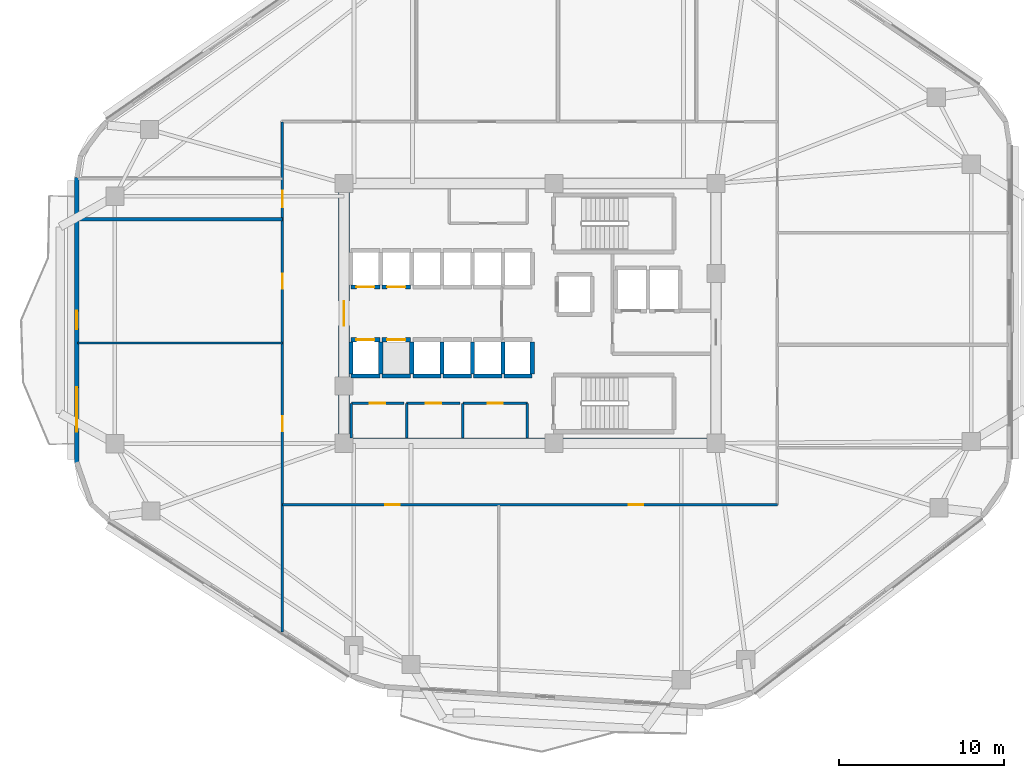
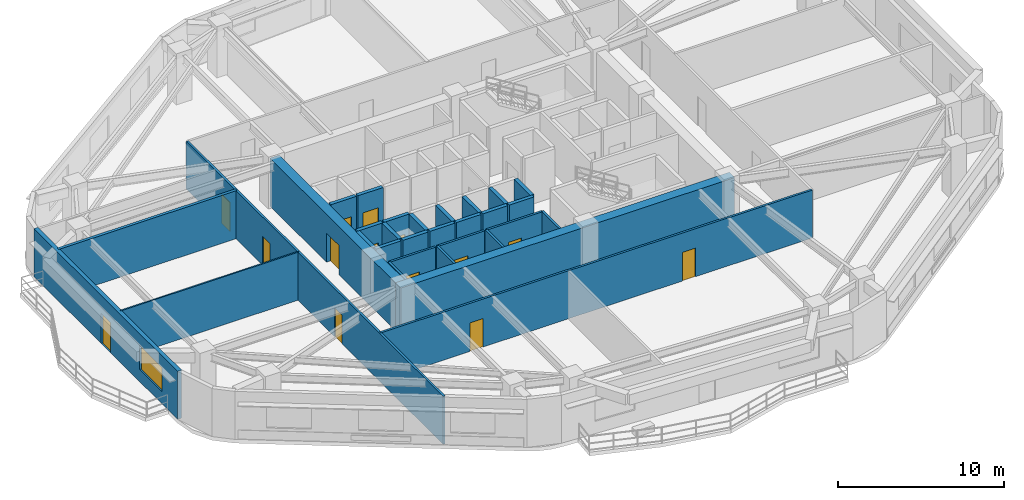
# One storey, part 3 of 10: 31 walls, 14 doors, 1 window, 15 openings.
"""IFC4 building model written with IfcOpenShell, lengths in metres."""

from ifc_helpers import new_model, si_unit, direction, frame, frame_2d, origin, place, context, subcontext, project, spatial, rectangle, extrude, material, layer, layer_set, type_object, element, fill, save


model = new_model("IFC4")

# Units and contexts
model_context = context("Model", 3, precision=1e-05, world=origin(), true_north=direction((0.0, 1.0)))
body_context = subcontext(model_context, "Body", "Model", "MODEL_VIEW")
ifc_project = project(units=[si_unit("LENGTHUNIT", "METRE"), si_unit("AREAUNIT", "SQUARE_METRE"), si_unit("VOLUMEUNIT", "CUBIC_METRE"), si_unit("PLANEANGLEUNIT", "RADIAN"), si_unit("MASSUNIT", "GRAM", prefix="KILO")], contexts=[model_context])

# Site, building, storey
site_placement = place(None, origin())
site = spatial("IfcSite", under=ifc_project, at=site_placement, CompositionType="ELEMENT")
building_placement = place(site_placement, origin())
building = spatial("IfcBuilding", under=site, at=building_placement, Name="Zulverin Broadcast Headquarters", CompositionType="ELEMENT")
storey_placement = place(building_placement, frame((0.0, 0.0, 97.199951171875)))
storey = spatial("IfcBuildingStorey", under=building, at=storey_placement, Name="L24", CompositionType="ELEMENT", Elevation=97.199951171875)

# Walls
ifc_material_1 = material(Name="Acoustic drywall steel stud", Category="steel")
ifc_layer_1 = layer(ifc_material_1, 0.199951171875, Name="Acoustic drywall steel stud", Category="steel")
ifc_layer_set_1 = layer_set([ifc_layer_1], Name="Acoustic drywall steel stud")
wall_type_1 = type_object("IfcWallType", Name="WL-ACOU-200", PredefinedType="PARTITIONING", material=ifc_layer_set_1)
wall_1_placement = place(storey_placement, frame((9.60498046875, 30.89990234375, 0.0), z_axis=(0.0, 0.0, 1.0), x_axis=(1.0, 0.0, 0.0)))
element("IfcWall", 1, at=wall_1_placement, inside=storey, type_object=wall_type_1, Name="L24 Room Partition Wall RP-12", PredefinedType="PARTITIONING", context=body_context, shape_type="SweptSolid", body=[
    extrude(rectangle(XDim=12.39501953125, YDim=0.199951171875, at=frame_2d((6.197509765625, 0.0))), origin(), (0.0, 0.0, 1.0), 3.525146484375),
])
ifc_material_2 = material(Name="Concrete C60/75", Category="concrete")
ifc_layer_2 = layer(ifc_material_2, 0.64990234375, Name="Concrete C60/75", Category="concrete")
ifc_layer_set_2 = layer_set([ifc_layer_2], Name="Concrete C60/75")
wall_type_2 = type_object("IfcWallType", Name="WL-CORE-650", PredefinedType="SHEAR", material=ifc_layer_set_2)
wall_2_placement = place(storey_placement, frame((25.39990234375, 17.324951171875, 0.0), z_axis=(0.0, 0.0, 1.0), x_axis=(1.0, 0.0, 0.0)))
element("IfcWall", 2, at=wall_2_placement, inside=storey, type_object=wall_type_2, Name="L24 Core South Shear Wall", PredefinedType="SHEAR", context=body_context, shape_type="SweptSolid", body=[
    extrude(rectangle(XDim=23.2001953125, YDim=0.64990234375, at=frame_2d((11.60009765625, 0.0))), origin(), (0.0, 0.0, 1.0), 3.525146484375),
])

# Wall, opening, door
wall_3_placement = place(storey_placement, frame((25.72509765625, 17.64990234375, 0.0), z_axis=(0.0, 0.0, 1.0), x_axis=(0.0, 1.0, 0.0)))
wall_3 = element("IfcWall", 3, at=wall_3_placement, inside=storey, type_object=wall_type_2, Name="L24 Core West Shear Wall", PredefinedType="SHEAR", context=body_context, shape_type="SweptSolid", body=[
    extrude(rectangle(XDim=15.10009765625, YDim=0.64990234375, at=frame_2d((7.550048828125, 0.0))), origin(), (0.0, 0.0, 1.0), 3.525146484375),
])
opening_1_placement = place(wall_3_placement, frame((6.800048828125, 0.0, 0.0)))
opening_1 = element("IfcOpeningElement", 4, at=opening_1_placement, cuts=wall_3, Name="Opening D-L24-CW1", PredefinedType="OPENING", context=body_context, shape_type="SweptSolid", body=[
    extrude(rectangle(XDim=1.5, YDim=2.14990234375, at=frame_2d((0.75, 1.074951171875))), frame((0.0, 0.3349609375, 0.0), z_axis=(0.0, -1.0, 0.0), x_axis=(1.0, 0.0, 0.0)), (0.0, 0.0, 1.0), 0.669921875),
])
ifc_material_3 = material(Name="Fire-rated glazed steel frame", Category="steel")
door_type_1 = type_object("IfcDoorType", Name="DR-COR-1500", OperationType="DOUBLE_DOOR_SINGLE_SWING", PredefinedType="DOOR", material=ifc_material_3)
door_1_placement = place(opening_1_placement, origin())
door_1 = element("IfcDoor", 5, at=door_1_placement, inside=storey, type_object=door_type_1, Name="L24 Central Lift Lobby West Portal Door", OperationType="DOUBLE_DOOR_SINGLE_SWING", OverallHeight=2.14990234375, OverallWidth=1.5, PredefinedType="DOOR", context=body_context, shape_type="SweptSolid", body=[
    extrude(rectangle(XDim=1.5, YDim=2.14990234375, at=frame_2d((0.75, 1.074951171875))), frame((0.0, 0.02490234375, 0.0), z_axis=(0.0, -1.0, 0.0), x_axis=(1.0, 0.0, 0.0)), (0.0, 0.0, 1.0), 0.050048828125),
])
fill(opening_1, door_1)

# Wall, openings, door, window
ifc_material_4 = material(Name="Insulated pale-metal clad concrete spandrel C40/50", Category="concrete")
ifc_layer_3 = layer(ifc_material_4, 0.280029296875, Name="Insulated pale-metal clad concrete spandrel C40/50", Category="concrete")
ifc_layer_set_3 = layer_set([ifc_layer_3], Name="Insulated pale-metal clad concrete spandrel C40/50")
wall_type_3 = type_object("IfcWallType", Name="WL-EXT-280", PredefinedType="STANDARD", material=ifc_layer_set_3)
wall_4_placement = place(storey_placement, frame((9.5400390625, 33.4443359375, 0.0), z_axis=(0.0, 0.0, 1.0), x_axis=(0.0, -1.0, 0.0)))
wall_4 = element("IfcWall", 6, at=wall_4_placement, inside=storey, type_object=wall_type_3, Name="L24 Pale-Metal Clad Spandrel Wall 7", PredefinedType="STANDARD", context=body_context, shape_type="SweptSolid", body=[
    extrude(rectangle(XDim=17.30078125, YDim=0.280029296875, at=frame_2d((8.650390625, 0.0))), origin(), (0.0, 0.0, 1.0), 3.525146484375),
])
opening_2_placement = place(wall_4_placement, frame((8.100341796875, 0.0, 0.0)))
opening_2 = element("IfcOpeningElement", 7, at=opening_2_placement, cuts=wall_4, Name="Opening D-L24-TR7", PredefinedType="OPENING", context=body_context, shape_type="SweptSolid", body=[
    extrude(rectangle(XDim=1.10009765625, YDim=2.199951171875, at=frame_2d((0.550048828125, 1.10009765625))), frame((0.0, 0.14990234375, 0.0), z_axis=(0.0, -1.0, 0.0), x_axis=(1.0, 0.0, 0.0)), (0.0, 0.0, 1.0), 0.300048828125),
])
opening_3_placement = place(wall_4_placement, frame((12.73388671875, 0.0, 0.89990234375)))
opening_3 = element("IfcOpeningElement", 8, at=opening_3_placement, cuts=wall_4, Name="Opening W-L24-E71", PredefinedType="OPENING", context=body_context, shape_type="SweptSolid", body=[
    extrude(rectangle(XDim=2.699951171875, YDim=1.75, at=frame_2d((1.35009765625, 0.875))), frame((0.0, 0.14990234375, 0.0), z_axis=(0.0, -1.0, 0.0), x_axis=(1.0, 0.0, 0.0)), (0.0, 0.0, 1.0), 0.300048828125),
])
ifc_material_5 = material(Name="Thermally broken aluminium glazed", Category="aluminium")
door_type_2 = type_object("IfcDoorType", Name="DR-TERR-1100", OperationType="SINGLE_SWING_RIGHT", PredefinedType="DOOR", material=ifc_material_5)
door_2_placement = place(opening_2_placement, origin())
door_2 = element("IfcDoor", 9, at=door_2_placement, inside=storey, type_object=door_type_2, Name="L24 Planted Terrace Glazed Access Door 7", OperationType="SINGLE_SWING_RIGHT", OverallHeight=2.199951171875, OverallWidth=1.10009765625, PredefinedType="DOOR", context=body_context, shape_type="SweptSolid", body=[
    extrude(rectangle(XDim=1.10009765625, YDim=2.199951171875, at=frame_2d((0.550048828125, 1.10009765625))), frame((0.0, 0.02490234375, 0.0), z_axis=(0.0, -1.0, 0.0), x_axis=(1.0, 0.0, 0.0)), (0.0, 0.0, 1.0), 0.050048828125),
])
fill(opening_2, door_2)
ifc_material_6 = material(Name="Pale anodized aluminium frame with solar-control low-E double glazing", Category="aluminium")
window_type = type_object("IfcWindowType", Name="WIN-TWR-2700", PartitioningType="SINGLE_PANEL", PredefinedType="WINDOW", material=ifc_material_6)
window_placement = place(opening_3_placement, origin())
window = element("IfcWindow", 10, at=window_placement, inside=storey, type_object=window_type, Name="L24 Ribbon Glazing Window 7 1", OverallHeight=1.75, OverallWidth=2.699951171875, PartitioningType="SINGLE_PANEL", PredefinedType="WINDOW", context=body_context, shape_type="SweptSolid", body=[
    extrude(rectangle(XDim=2.699951171875, YDim=1.75, at=frame_2d((1.35009765625, 0.875))), frame((0.0, 0.030029296875, 0.0), z_axis=(0.0, -1.0, 0.0), x_axis=(1.0, 0.0, 0.0)), (0.0, 0.0, 1.0), 0.06005859375),
])
fill(opening_3, window)

# Wall
ifc_material_7 = material(Name="Fire-rated acoustic laminated glass screen", Category="glass")
ifc_layer_4 = layer(ifc_material_7, 0.10009765625, Name="Fire-rated acoustic laminated glass screen", Category="glass")
ifc_layer_set_4 = layer_set([ifc_layer_4], Name="Fire-rated acoustic laminated glass screen")
wall_type_4 = type_object("IfcWallType", Name="WL-GLAZ-100", PredefinedType="PARTITIONING", material=ifc_layer_set_4)
wall_5_placement = place(storey_placement, frame((9.60498046875, 23.39990234375, 0.0), z_axis=(0.0, 0.0, 1.0), x_axis=(1.0, 0.0, 0.0)))
element("IfcWall", 11, at=wall_5_placement, inside=storey, type_object=wall_type_4, Name="L24 Room Partition Wall RP-10", PredefinedType="PARTITIONING", context=body_context, shape_type="SweptSolid", body=[
    extrude(rectangle(XDim=12.39501953125, YDim=0.10009765625, at=frame_2d((6.197509765625, 0.0))), origin(), (0.0, 0.0, 1.0), 3.525146484375),
])

# Wall, opening, door
ifc_material_8 = material(Name="Fire-rated gypsum stud partition", Category="gypsum")
ifc_layer_5 = layer(ifc_material_8, 0.14990234375, Name="Fire-rated gypsum stud partition", Category="gypsum")
ifc_layer_set_5 = layer_set([ifc_layer_5], Name="Fire-rated gypsum stud partition")
wall_type_5 = type_object("IfcWallType", Name="WL-PART-150", PredefinedType="PARTITIONING", material=ifc_layer_set_5)
wall_6_placement = place(storey_placement, frame((26.169921875, 19.75, 0.0), z_axis=(0.0, 0.0, 1.0), x_axis=(1.0, 0.0, 0.0)))
wall_6 = element("IfcWall", 12, at=wall_6_placement, inside=storey, type_object=wall_type_5, Name="L24 Core Male WC Front Wall", PredefinedType="PARTITIONING", context=body_context, shape_type="SweptSolid", body=[
    extrude(rectangle(XDim=3.2001953125, YDim=0.14990234375, at=frame_2d((1.60009765625, 0.0))), origin(), (0.0, 0.0, 1.0), 3.525146484375),
])
opening_4_placement = place(wall_6_placement, frame((1.125, 0.0, 0.0)))
opening_4 = element("IfcOpeningElement", 13, at=opening_4_placement, cuts=wall_6, Name="Opening D-L24-SC1", PredefinedType="OPENING", context=body_context, shape_type="SweptSolid", body=[
    extrude(rectangle(XDim=0.949951171875, YDim=2.10009765625, at=frame_2d((0.47509765625, 1.050048828125))), frame((0.0, 0.0849609375, 0.0), z_axis=(0.0, -1.0, 0.0), x_axis=(1.0, 0.0, 0.0)), (0.0, 0.0, 1.0), 0.169921875),
])
ifc_material_9 = material(Name="Fire-rated moisture-resistant laminate leaf", Category="wood")
door_type_3 = type_object("IfcDoorType", Name="DR-WC-950", OperationType="SINGLE_SWING_LEFT", PredefinedType="DOOR", material=ifc_material_9)
door_3_placement = place(opening_4_placement, origin())
door_3 = element("IfcDoor", 14, at=door_3_placement, inside=storey, type_object=door_type_3, Name="L24 Male WC Door", OperationType="SINGLE_SWING_RIGHT", OverallHeight=2.10009765625, OverallWidth=0.949951171875, PredefinedType="DOOR", context=body_context, shape_type="SweptSolid", body=[
    extrude(rectangle(XDim=0.949951171875, YDim=2.10009765625, at=frame_2d((0.47509765625, 1.050048828125))), frame((0.0, 0.02490234375, 0.0), z_axis=(0.0, -1.0, 0.0), x_axis=(1.0, 0.0, 0.0)), (0.0, 0.0, 1.0), 0.050048828125),
])
fill(opening_4, door_3)

# Wall
wall_7_placement = place(storey_placement, frame((26.169921875, 17.64990234375, 0.0), z_axis=(0.0, 0.0, 1.0), x_axis=(0.0, 1.0, 0.0)))
element("IfcWall", 15, at=wall_7_placement, inside=storey, type_object=wall_type_5, Name="L24 Core Male WC West Wall", PredefinedType="PARTITIONING", context=body_context, shape_type="SweptSolid", body=[
    extrude(rectangle(XDim=2.10009765625, YDim=0.14990234375, at=frame_2d((1.050048828125, 0.0))), origin(), (0.0, 0.0, 1.0), 3.525146484375),
])

# Wall, opening, door
wall_8_placement = place(storey_placement, frame((29.530029296875, 19.75, 0.0), z_axis=(0.0, 0.0, 1.0), x_axis=(1.0, 0.0, 0.0)))
wall_8 = element("IfcWall", 16, at=wall_8_placement, inside=storey, type_object=wall_type_5, Name="L24 Core Female WC Front Wall", PredefinedType="PARTITIONING", context=body_context, shape_type="SweptSolid", body=[
    extrude(rectangle(XDim=3.239990234375, YDim=0.14990234375, at=frame_2d((1.6201171875, 0.0))), origin(), (0.0, 0.0, 1.0), 3.525146484375),
])
opening_5_placement = place(wall_8_placement, frame((1.14501953125, 0.0, 0.0)))
opening_5 = element("IfcOpeningElement", 17, at=opening_5_placement, cuts=wall_8, Name="Opening D-L24-SC2", PredefinedType="OPENING", context=body_context, shape_type="SweptSolid", body=[
    extrude(rectangle(XDim=0.949951171875, YDim=2.10009765625, at=frame_2d((0.47509765625, 1.050048828125))), frame((0.0, 0.0849609375, 0.0), z_axis=(0.0, -1.0, 0.0), x_axis=(1.0, 0.0, 0.0)), (0.0, 0.0, 1.0), 0.169921875),
])
door_4_placement = place(opening_5_placement, origin())
door_4 = element("IfcDoor", 18, at=door_4_placement, inside=storey, type_object=door_type_3, Name="L24 Female WC Door", OperationType="SINGLE_SWING_LEFT", OverallHeight=2.10009765625, OverallWidth=0.949951171875, PredefinedType="DOOR", context=body_context, shape_type="SweptSolid", body=[
    extrude(rectangle(XDim=0.949951171875, YDim=2.10009765625, at=frame_2d((0.47509765625, 1.050048828125))), frame((0.0, 0.02490234375, 0.0), z_axis=(0.0, -1.0, 0.0), x_axis=(1.0, 0.0, 0.0)), (0.0, 0.0, 1.0), 0.050048828125),
])
fill(opening_5, door_4)

# Wall
wall_9_placement = place(storey_placement, frame((29.530029296875, 17.64990234375, 0.0), z_axis=(0.0, 0.0, 1.0), x_axis=(0.0, 1.0, 0.0)))
element("IfcWall", 19, at=wall_9_placement, inside=storey, type_object=wall_type_5, Name="L24 Core Female WC West Wall", PredefinedType="PARTITIONING", context=body_context, shape_type="SweptSolid", body=[
    extrude(rectangle(XDim=2.10009765625, YDim=0.14990234375, at=frame_2d((1.050048828125, 0.0))), origin(), (0.0, 0.0, 1.0), 3.525146484375),
])

# Wall, opening, door
wall_10_placement = place(storey_placement, frame((32.929931640625, 19.75, 0.0), z_axis=(0.0, 0.0, 1.0), x_axis=(1.0, 0.0, 0.0)))
wall_10 = element("IfcWall", 20, at=wall_10_placement, inside=storey, type_object=wall_type_5, Name="L24 Core Cleaner Store Front Wall", PredefinedType="PARTITIONING", context=body_context, shape_type="SweptSolid", body=[
    extrude(rectangle(XDim=3.920166015625, YDim=0.14990234375, at=frame_2d((1.9599609375, 0.0))), origin(), (0.0, 0.0, 1.0), 3.525146484375),
])
opening_6_placement = place(wall_10_placement, frame((1.510009765625, 0.0, 0.0)))
opening_6 = element("IfcOpeningElement", 21, at=opening_6_placement, cuts=wall_10, Name="Opening D-L24-SC3", PredefinedType="OPENING", context=body_context, shape_type="SweptSolid", body=[
    extrude(rectangle(XDim=0.89990234375, YDim=2.10009765625, at=frame_2d((0.449951171875, 1.050048828125))), frame((0.0, 0.0849609375, 0.0), z_axis=(0.0, -1.0, 0.0), x_axis=(1.0, 0.0, 0.0)), (0.0, 0.0, 1.0), 0.169921875),
])
ifc_material_10 = material(Name="Powder-coated steel access leaf", Category="steel")
door_type_4 = type_object("IfcDoorType", Name="DR-RISER-900", OperationType="SINGLE_SWING_LEFT", PredefinedType="DOOR", material=ifc_material_10)
door_5_placement = place(opening_6_placement, origin())
door_5 = element("IfcDoor", 22, at=door_5_placement, inside=storey, type_object=door_type_4, Name="L24 Cleaner Store Door", OperationType="SINGLE_SWING_RIGHT", OverallHeight=2.10009765625, OverallWidth=0.89990234375, PredefinedType="DOOR", context=body_context, shape_type="SweptSolid", body=[
    extrude(rectangle(XDim=0.89990234375, YDim=2.10009765625, at=frame_2d((0.449951171875, 1.050048828125))), frame((0.0, 0.02490234375, 0.0), z_axis=(0.0, -1.0, 0.0), x_axis=(1.0, 0.0, 0.0)), (0.0, 0.0, 1.0), 0.050048828125),
])
fill(opening_6, door_5)

# Walls
for number, where, z_axis, x_axis, name in (
    (23, (32.929931640625, 17.64990234375, 0.0), (0.0, 0.0, 1.0), (0.0, 1.0, 0.0), "L24 Core Cleaner Store West Wall"),
    (24, (36.85009765625, 17.64990234375, 0.0), (0.0, 0.0, 1.0), (0.0, 1.0, 0.0), "L24 Core Cleaner Store East Wall"),
):
    element("IfcWall", number, at=place(storey_placement, frame(where, z_axis=z_axis, x_axis=x_axis)), inside=storey, type_object=wall_type_5, Name=name, PredefinedType="PARTITIONING", context=body_context, shape_type="SweptSolid", body=[
        extrude(rectangle(XDim=2.10009765625, YDim=0.14990234375, at=frame_2d((1.050048828125, 0.0))), origin(), (0.0, 0.0, 1.0), 3.525146484375),
    ])

# Wall, openings, doors
wall_11_placement = place(storey_placement, frame((22.0, 5.893798828125, 0.0), z_axis=(0.0, 0.0, 1.0), x_axis=(0.0, 1.0, 0.0)))
wall_11 = element("IfcWall", 25, at=wall_11_placement, inside=storey, type_object=wall_type_5, Name="L24 Gallery Partition Wall CG-06", PredefinedType="PARTITIONING", context=body_context, shape_type="SweptSolid", body=[
    extrude(rectangle(XDim=30.90625, YDim=0.14990234375, at=frame_2d((15.453125, 0.0))), origin(), (0.0, 0.0, 1.0), 3.525146484375),
])
opening_7_placement = place(wall_11_placement, frame((12.156005859375, 0.0, 0.0)))
opening_7 = element("IfcOpeningElement", 26, at=opening_7_placement, cuts=wall_11, Name="Opening D-L24-07", PredefinedType="OPENING", context=body_context, shape_type="SweptSolid", body=[
    extrude(rectangle(XDim=0.89990234375, YDim=2.10009765625, at=frame_2d((0.449951171875, 1.050048828125))), frame((0.0, 0.0849609375, 0.0), z_axis=(0.0, -1.0, 0.0), x_axis=(1.0, 0.0, 0.0)), (0.0, 0.0, 1.0), 0.169921875),
])
opening_8_placement = place(wall_11_placement, frame((20.80615234375, 0.0, 0.0)))
opening_8 = element("IfcOpeningElement", 27, at=opening_8_placement, cuts=wall_11, Name="Opening D-L24-08", PredefinedType="OPENING", context=body_context, shape_type="SweptSolid", body=[
    extrude(rectangle(XDim=0.89990234375, YDim=2.10009765625, at=frame_2d((0.449951171875, 1.050048828125))), frame((0.0, 0.0849609375, 0.0), z_axis=(0.0, -1.0, 0.0), x_axis=(1.0, 0.0, 0.0)), (0.0, 0.0, 1.0), 0.169921875),
])
opening_9_placement = place(wall_11_placement, frame((25.731201171875, 0.0, 0.0)))
opening_9 = element("IfcOpeningElement", 28, at=opening_9_placement, cuts=wall_11, Name="Opening D-L24-09", PredefinedType="OPENING", context=body_context, shape_type="SweptSolid", body=[
    extrude(rectangle(XDim=1.0, YDim=2.1201171875, at=frame_2d((0.5, 1.06005859375))), frame((0.0, 0.0849609375, 0.0), z_axis=(0.0, -1.0, 0.0), x_axis=(1.0, 0.0, 0.0)), (0.0, 0.0, 1.0), 0.169921875),
])
ifc_material_11 = material(Name="Hardwood veneer acoustic leaf", Category="wood")
door_type_5 = type_object("IfcDoorType", Name="DR-OFF-1000", OperationType="SINGLE_SWING_LEFT", PredefinedType="DOOR", material=ifc_material_11)
door_6_placement = place(opening_9_placement, origin())
door_6 = element("IfcDoor", 29, at=door_6_placement, inside=storey, type_object=door_type_5, Name="L24 Satellite Downlink Office Door", OperationType="SINGLE_SWING_RIGHT", OverallHeight=2.1201171875, OverallWidth=1.0, PredefinedType="DOOR", context=body_context, shape_type="SweptSolid", body=[
    extrude(rectangle(XDim=1.0, YDim=2.1201171875, at=frame_2d((0.5, 1.06005859375))), frame((0.0, 0.02490234375, 0.0), z_axis=(0.0, -1.0, 0.0), x_axis=(1.0, 0.0, 0.0)), (0.0, 0.0, 1.0), 0.050048828125),
])
fill(opening_9, door_6)
ifc_material_12 = material(Name="Fire-rated hardwood veneer timber leaf", Category="wood")
door_type_6 = type_object("IfcDoorType", Name="DR-ROOM-900", OperationType="SINGLE_SWING_RIGHT", PredefinedType="DOOR", material=ifc_material_12)
door_7_placement = place(opening_7_placement, origin())
door_7 = element("IfcDoor", 30, at=door_7_placement, inside=storey, type_object=door_type_6, Name="L24 Engineering Library Door", OperationType="SINGLE_SWING_RIGHT", OverallHeight=2.10009765625, OverallWidth=0.89990234375, PredefinedType="DOOR", context=body_context, shape_type="SweptSolid", body=[
    extrude(rectangle(XDim=0.89990234375, YDim=2.10009765625, at=frame_2d((0.449951171875, 1.050048828125))), frame((0.0, 0.02490234375, 0.0), z_axis=(0.0, -1.0, 0.0), x_axis=(1.0, 0.0, 0.0)), (0.0, 0.0, 1.0), 0.050048828125),
])
fill(opening_7, door_7)
door_8_placement = place(opening_8_placement, origin())
door_8 = element("IfcDoor", 31, at=door_8_placement, inside=storey, type_object=door_type_6, Name="L24 Staff Tea Pantry Door", OperationType="SINGLE_SWING_LEFT", OverallHeight=2.10009765625, OverallWidth=0.89990234375, PredefinedType="DOOR", context=body_context, shape_type="SweptSolid", body=[
    extrude(rectangle(XDim=0.89990234375, YDim=2.10009765625, at=frame_2d((0.449951171875, 1.050048828125))), frame((0.0, 0.02490234375, 0.0), z_axis=(0.0, -1.0, 0.0), x_axis=(1.0, 0.0, 0.0)), (0.0, 0.0, 1.0), 0.050048828125),
])
fill(opening_8, door_8)

wall_12_placement = place(storey_placement, frame((22.0, 13.60009765625, 0.0), z_axis=(0.0, 0.0, 1.0), x_axis=(1.0, 0.0, 0.0)))
wall_12 = element("IfcWall", 32, at=wall_12_placement, inside=storey, type_object=wall_type_5, Name="L24 Gallery Partition Wall CG-07", PredefinedType="PARTITIONING", context=body_context, shape_type="SweptSolid", body=[
    extrude(rectangle(XDim=30.0, YDim=0.14990234375, at=frame_2d((15.0, 0.0))), origin(), (0.0, 0.0, 1.0), 3.525146484375),
])
opening_10_placement = place(wall_12_placement, frame((6.219970703125, 0.0, 0.0)))
opening_10 = element("IfcOpeningElement", 33, at=opening_10_placement, cuts=wall_12, Name="Opening D-L24-05", PredefinedType="OPENING", context=body_context, shape_type="SweptSolid", body=[
    extrude(rectangle(XDim=0.89990234375, YDim=2.10009765625, at=frame_2d((0.449951171875, 1.050048828125))), frame((0.0, 0.0849609375, 0.0), z_axis=(0.0, -1.0, 0.0), x_axis=(1.0, 0.0, 0.0)), (0.0, 0.0, 1.0), 0.169921875),
])
opening_11_placement = place(wall_12_placement, frame((20.97998046875, 0.0, 0.0)))
opening_11 = element("IfcOpeningElement", 34, at=opening_11_placement, cuts=wall_12, Name="Opening D-L24-06", PredefinedType="OPENING", context=body_context, shape_type="SweptSolid", body=[
    extrude(rectangle(XDim=0.89990234375, YDim=2.10009765625, at=frame_2d((0.449951171875, 1.050048828125))), frame((0.0, 0.0849609375, 0.0), z_axis=(0.0, -1.0, 0.0), x_axis=(1.0, 0.0, 0.0)), (0.0, 0.0, 1.0), 0.169921875),
])
door_9_placement = place(opening_10_placement, origin())
door_9 = element("IfcDoor", 35, at=door_9_placement, inside=storey, type_object=door_type_6, Name="L24 Technical Briefing Room Door", OperationType="SINGLE_SWING_RIGHT", OverallHeight=2.10009765625, OverallWidth=0.89990234375, PredefinedType="DOOR", context=body_context, shape_type="SweptSolid", body=[
    extrude(rectangle(XDim=0.89990234375, YDim=2.10009765625, at=frame_2d((0.449951171875, 1.050048828125))), frame((0.0, 0.02490234375, 0.0), z_axis=(0.0, -1.0, 0.0), x_axis=(1.0, 0.0, 0.0)), (0.0, 0.0, 1.0), 0.050048828125),
])
fill(opening_10, door_9)
door_10_placement = place(opening_11_placement, origin())
door_10 = element("IfcDoor", 36, at=door_10_placement, inside=storey, type_object=door_type_6, Name="L24 Review Conference Room Door", OperationType="SINGLE_SWING_LEFT", OverallHeight=2.10009765625, OverallWidth=0.89990234375, PredefinedType="DOOR", context=body_context, shape_type="SweptSolid", body=[
    extrude(rectangle(XDim=0.89990234375, YDim=2.10009765625, at=frame_2d((0.449951171875, 1.050048828125))), frame((0.0, 0.02490234375, 0.0), z_axis=(0.0, -1.0, 0.0), x_axis=(1.0, 0.0, 0.0)), (0.0, 0.0, 1.0), 0.050048828125),
])
fill(opening_11, door_10)

# Wall, opening, door
ifc_material_13 = material(Name="Concrete C50/60", Category="concrete")
ifc_layer_6 = layer(ifc_material_13, 0.25, Name="Concrete C50/60", Category="concrete")
ifc_layer_set_6 = layer_set([ifc_layer_6], Name="Concrete C50/60")
wall_type_6 = type_object("IfcWallType", Name="WL-SHAFT-250", PredefinedType="SHEAR", material=ifc_layer_set_6)
wall_13_placement = place(storey_placement, frame((26.14990234375, 26.800048828125, 0.0), z_axis=(0.0, 0.0, 1.0), x_axis=(1.0, 0.0, 0.0)))
wall_13 = element("IfcWall", 37, at=wall_13_placement, inside=storey, type_object=wall_type_6, Name="L24 Lift PL-L1 Shaft Wall S", PredefinedType="SHEAR", context=body_context, shape_type="SweptSolid", body=[
    extrude(rectangle(XDim=1.75, YDim=0.25, at=frame_2d((0.875, 0.0))), origin(), (0.0, 0.0, 1.0), 3.525146484375),
])
opening_12_placement = place(wall_13_placement, frame((0.324951171875, 0.0, 0.0)))
opening_12 = element("IfcOpeningElement", 38, at=opening_12_placement, cuts=wall_13, Name="Opening LD-PL-L1-L24", PredefinedType="OPENING", context=body_context, shape_type="SweptSolid", body=[
    extrude(rectangle(XDim=1.10009765625, YDim=2.14990234375, at=frame_2d((0.550048828125, 1.074951171875))), frame((0.0, 0.135009765625, 0.0), z_axis=(0.0, -1.0, 0.0), x_axis=(1.0, 0.0, 0.0)), (0.0, 0.0, 1.0), 0.27001953125),
])
ifc_material_14 = material(Name="Brushed stainless steel landing", Category="steel")
door_type_7 = type_object("IfcDoorType", Name="LD-PASS-1100", OperationType="DOUBLE_DOOR_SLIDING", PredefinedType="DOOR", material=ifc_material_14)
door_11_placement = place(opening_12_placement, origin())
door_11 = element("IfcDoor", 39, at=door_11_placement, inside=storey, type_object=door_type_7, Name="L24 Lift PL-L1 Sliding Landing Door", OperationType="DOUBLE_DOOR_SLIDING", OverallHeight=2.14990234375, OverallWidth=1.10009765625, PredefinedType="DOOR", context=body_context, shape_type="SweptSolid", body=[
    extrude(rectangle(XDim=1.10009765625, YDim=2.14990234375, at=frame_2d((0.550048828125, 1.074951171875))), frame((0.0, 0.02490234375, 0.0), z_axis=(0.0, -1.0, 0.0), x_axis=(1.0, 0.0, 0.0)), (0.0, 0.0, 1.0), 0.050048828125),
])
fill(opening_12, door_11)

wall_14_placement = place(storey_placement, frame((28.02001953125, 26.800048828125, 0.0), z_axis=(0.0, 0.0, 1.0), x_axis=(1.0, 0.0, 0.0)))
wall_14 = element("IfcWall", 40, at=wall_14_placement, inside=storey, type_object=wall_type_6, Name="L24 Lift PL-L2 Shaft Wall S", PredefinedType="SHEAR", context=body_context, shape_type="SweptSolid", body=[
    extrude(rectangle(XDim=1.75, YDim=0.25, at=frame_2d((0.875, 0.0))), origin(), (0.0, 0.0, 1.0), 3.525146484375),
])
opening_13_placement = place(wall_14_placement, frame((0.324951171875, 0.0, 0.0)))
opening_13 = element("IfcOpeningElement", 41, at=opening_13_placement, cuts=wall_14, Name="Opening LD-PL-L2-L24", PredefinedType="OPENING", context=body_context, shape_type="SweptSolid", body=[
    extrude(rectangle(XDim=1.10009765625, YDim=2.14990234375, at=frame_2d((0.550048828125, 1.074951171875))), frame((0.0, 0.135009765625, 0.0), z_axis=(0.0, -1.0, 0.0), x_axis=(1.0, 0.0, 0.0)), (0.0, 0.0, 1.0), 0.27001953125),
])
door_12_placement = place(opening_13_placement, origin())
door_12 = element("IfcDoor", 42, at=door_12_placement, inside=storey, type_object=door_type_7, Name="L24 Lift PL-L2 Sliding Landing Door", OperationType="DOUBLE_DOOR_SLIDING", OverallHeight=2.14990234375, OverallWidth=1.10009765625, PredefinedType="DOOR", context=body_context, shape_type="SweptSolid", body=[
    extrude(rectangle(XDim=1.10009765625, YDim=2.14990234375, at=frame_2d((0.550048828125, 1.074951171875))), frame((0.0, 0.02490234375, 0.0), z_axis=(0.0, -1.0, 0.0), x_axis=(1.0, 0.0, 0.0)), (0.0, 0.0, 1.0), 0.050048828125),
])
fill(opening_13, door_12)

# Wall
wall_15_placement = place(storey_placement, frame((26.14990234375, 21.39990234375, 0.0), z_axis=(0.0, 0.0, 1.0), x_axis=(1.0, 0.0, 0.0)))
element("IfcWall", 43, at=wall_15_placement, inside=storey, type_object=wall_type_6, Name="L24 Lift PL-L3 Shaft Wall S", PredefinedType="SHEAR", context=body_context, shape_type="SweptSolid", body=[
    extrude(rectangle(XDim=1.75, YDim=0.25, at=frame_2d((0.875, 0.0))), origin(), (0.0, 0.0, 1.0), 3.525146484375),
])

# Wall, opening, door
wall_16_placement = place(storey_placement, frame((26.14990234375, 23.60009765625, 0.0), z_axis=(0.0, 0.0, 1.0), x_axis=(1.0, 0.0, 0.0)))
wall_16 = element("IfcWall", 44, at=wall_16_placement, inside=storey, type_object=wall_type_6, Name="L24 Lift PL-L3 Shaft Wall N", PredefinedType="SHEAR", context=body_context, shape_type="SweptSolid", body=[
    extrude(rectangle(XDim=1.75, YDim=0.25, at=frame_2d((0.875, 0.0))), origin(), (0.0, 0.0, 1.0), 3.525146484375),
])
opening_14_placement = place(wall_16_placement, frame((0.324951171875, 0.0, 0.0)))
opening_14 = element("IfcOpeningElement", 45, at=opening_14_placement, cuts=wall_16, Name="Opening LD-PL-L3-L24", PredefinedType="OPENING", context=body_context, shape_type="SweptSolid", body=[
    extrude(rectangle(XDim=1.10009765625, YDim=2.14990234375, at=frame_2d((0.550048828125, 1.074951171875))), frame((0.0, 0.135009765625, 0.0), z_axis=(0.0, -1.0, 0.0), x_axis=(1.0, 0.0, 0.0)), (0.0, 0.0, 1.0), 0.27001953125),
])
door_13_placement = place(opening_14_placement, origin())
door_13 = element("IfcDoor", 46, at=door_13_placement, inside=storey, type_object=door_type_7, Name="L24 Lift PL-L3 Sliding Landing Door", OperationType="DOUBLE_DOOR_SLIDING", OverallHeight=2.14990234375, OverallWidth=1.10009765625, PredefinedType="DOOR", context=body_context, shape_type="SweptSolid", body=[
    extrude(rectangle(XDim=1.10009765625, YDim=2.14990234375, at=frame_2d((0.550048828125, 1.074951171875))), frame((0.0, 0.02490234375, 0.0), z_axis=(0.0, -1.0, 0.0), x_axis=(1.0, 0.0, 0.0)), (0.0, 0.0, 1.0), 0.050048828125),
])
fill(opening_14, door_13)

# Walls
for number, where, z_axis, x_axis, name in (
    (47, (26.14990234375, 21.52001953125, 0.0), (0.0, 0.0, 1.0), (0.0, 1.0, 0.0), "L24 Lift PL-L3 Shaft Wall W"),
    (48, (27.9599609375, 21.52001953125, 0.0), (0.0, 0.0, 1.0), (0.0, 1.0, 0.0), "L24 Lift PL-L3 Shaft Wall E"),
):
    element("IfcWall", number, at=place(storey_placement, frame(where, z_axis=z_axis, x_axis=x_axis)), inside=storey, type_object=wall_type_6, Name=name, PredefinedType="SHEAR", context=body_context, shape_type="SweptSolid", body=[
        extrude(rectangle(XDim=1.9599609375, YDim=0.25, at=frame_2d((0.97998046875, 0.0))), origin(), (0.0, 0.0, 1.0), 3.525146484375),
    ])
wall_17_placement = place(storey_placement, frame((28.02001953125, 21.39990234375, 0.0), z_axis=(0.0, 0.0, 1.0), x_axis=(1.0, 0.0, 0.0)))
element("IfcWall", 49, at=wall_17_placement, inside=storey, type_object=wall_type_6, Name="L24 Lift PL-L4 Shaft Wall S", PredefinedType="SHEAR", context=body_context, shape_type="SweptSolid", body=[
    extrude(rectangle(XDim=1.75, YDim=0.25, at=frame_2d((0.875, 0.0))), origin(), (0.0, 0.0, 1.0), 3.525146484375),
])

# Wall, opening, door
wall_18_placement = place(storey_placement, frame((28.02001953125, 23.60009765625, 0.0), z_axis=(0.0, 0.0, 1.0), x_axis=(1.0, 0.0, 0.0)))
wall_18 = element("IfcWall", 50, at=wall_18_placement, inside=storey, type_object=wall_type_6, Name="L24 Lift PL-L4 Shaft Wall N", PredefinedType="SHEAR", context=body_context, shape_type="SweptSolid", body=[
    extrude(rectangle(XDim=1.75, YDim=0.25, at=frame_2d((0.875, 0.0))), origin(), (0.0, 0.0, 1.0), 3.525146484375),
])
opening_15_placement = place(wall_18_placement, frame((0.324951171875, 0.0, 0.0)))
opening_15 = element("IfcOpeningElement", 51, at=opening_15_placement, cuts=wall_18, Name="Opening LD-PL-L4-L24", PredefinedType="OPENING", context=body_context, shape_type="SweptSolid", body=[
    extrude(rectangle(XDim=1.10009765625, YDim=2.14990234375, at=frame_2d((0.550048828125, 1.074951171875))), frame((0.0, 0.135009765625, 0.0), z_axis=(0.0, -1.0, 0.0), x_axis=(1.0, 0.0, 0.0)), (0.0, 0.0, 1.0), 0.27001953125),
])
door_14_placement = place(opening_15_placement, origin())
door_14 = element("IfcDoor", 52, at=door_14_placement, inside=storey, type_object=door_type_7, Name="L24 Lift PL-L4 Sliding Landing Door", OperationType="DOUBLE_DOOR_SLIDING", OverallHeight=2.14990234375, OverallWidth=1.10009765625, PredefinedType="DOOR", context=body_context, shape_type="SweptSolid", body=[
    extrude(rectangle(XDim=1.10009765625, YDim=2.14990234375, at=frame_2d((0.550048828125, 1.074951171875))), frame((0.0, 0.02490234375, 0.0), z_axis=(0.0, -1.0, 0.0), x_axis=(1.0, 0.0, 0.0)), (0.0, 0.0, 1.0), 0.050048828125),
])
fill(opening_15, door_14)

# Walls
wall_19_placement = place(storey_placement, frame((29.8349609375, 21.52001953125, 0.0), z_axis=(0.0, 0.0, 1.0), x_axis=(0.0, 1.0, 0.0)))
element("IfcWall", 53, at=wall_19_placement, inside=storey, type_object=wall_type_6, Name="L24 Lift PL-L4 Shaft Wall E", PredefinedType="SHEAR", context=body_context, shape_type="SweptSolid", body=[
    extrude(rectangle(XDim=1.9599609375, YDim=0.25, at=frame_2d((0.97998046875, 0.0))), origin(), (0.0, 0.0, 1.0), 3.525146484375),
])
wall_20_placement = place(storey_placement, frame((29.89990234375, 21.39990234375, 0.0), z_axis=(0.0, 0.0, 1.0), x_axis=(1.0, 0.0, 0.0)))
element("IfcWall", 54, at=wall_20_placement, inside=storey, type_object=wall_type_6, Name="L24 Lift PL-M1 Shaft Wall S", PredefinedType="SHEAR", context=body_context, shape_type="SweptSolid", body=[
    extrude(rectangle(XDim=1.72021484375, YDim=0.25, at=frame_2d((0.860107421875, 0.0))), origin(), (0.0, 0.0, 1.0), 3.525146484375),
])
wall_21_placement = place(storey_placement, frame((31.679931640625, 21.52001953125, 0.0), z_axis=(0.0, 0.0, 1.0), x_axis=(0.0, 1.0, 0.0)))
element("IfcWall", 55, at=wall_21_placement, inside=storey, type_object=wall_type_6, Name="L24 Lift PL-M1 Shaft Wall E", PredefinedType="SHEAR", context=body_context, shape_type="SweptSolid", body=[
    extrude(rectangle(XDim=1.9599609375, YDim=0.25, at=frame_2d((0.97998046875, 0.0))), origin(), (0.0, 0.0, 1.0), 3.525146484375),
])
wall_22_placement = place(storey_placement, frame((31.739990234375, 21.39990234375, 0.0), z_axis=(0.0, 0.0, 1.0), x_axis=(1.0, 0.0, 0.0)))
element("IfcWall", 56, at=wall_22_placement, inside=storey, type_object=wall_type_6, Name="L24 Lift PL-M2 Shaft Wall S", PredefinedType="SHEAR", context=body_context, shape_type="SweptSolid", body=[
    extrude(rectangle(XDim=1.719970703125, YDim=0.25, at=frame_2d((0.85986328125, 0.0))), origin(), (0.0, 0.0, 1.0), 3.525146484375),
])
wall_23_placement = place(storey_placement, frame((33.52001953125, 21.52001953125, 0.0), z_axis=(0.0, 0.0, 1.0), x_axis=(0.0, 1.0, 0.0)))
element("IfcWall", 57, at=wall_23_placement, inside=storey, type_object=wall_type_6, Name="L24 Lift PL-M2 Shaft Wall E", PredefinedType="SHEAR", context=body_context, shape_type="SweptSolid", body=[
    extrude(rectangle(XDim=1.9599609375, YDim=0.25, at=frame_2d((0.97998046875, 0.0))), origin(), (0.0, 0.0, 1.0), 3.525146484375),
])
wall_24_placement = place(storey_placement, frame((33.580078125, 21.39990234375, 0.0), z_axis=(0.0, 0.0, 1.0), x_axis=(1.0, 0.0, 0.0)))
element("IfcWall", 58, at=wall_24_placement, inside=storey, type_object=wall_type_6, Name="L24 Lift PL-M3 Shaft Wall S", PredefinedType="SHEAR", context=body_context, shape_type="SweptSolid", body=[
    extrude(rectangle(XDim=1.719970703125, YDim=0.25, at=frame_2d((0.85986328125, 0.0))), origin(), (0.0, 0.0, 1.0), 3.525146484375),
])
wall_25_placement = place(storey_placement, frame((35.360107421875, 21.52001953125, 0.0), z_axis=(0.0, 0.0, 1.0), x_axis=(0.0, 1.0, 0.0)))
element("IfcWall", 59, at=wall_25_placement, inside=storey, type_object=wall_type_6, Name="L24 Lift PL-M3 Shaft Wall E", PredefinedType="SHEAR", context=body_context, shape_type="SweptSolid", body=[
    extrude(rectangle(XDim=1.9599609375, YDim=0.25, at=frame_2d((0.97998046875, 0.0))), origin(), (0.0, 0.0, 1.0), 3.525146484375),
])
wall_26_placement = place(storey_placement, frame((35.419921875, 21.39990234375, 0.0), z_axis=(0.0, 0.0, 1.0), x_axis=(1.0, 0.0, 0.0)))
element("IfcWall", 60, at=wall_26_placement, inside=storey, type_object=wall_type_6, Name="L24 Lift PL-M4 Shaft Wall S", PredefinedType="SHEAR", context=body_context, shape_type="SweptSolid", body=[
    extrude(rectangle(XDim=1.719970703125, YDim=0.25, at=frame_2d((0.85986328125, 0.0))), origin(), (0.0, 0.0, 1.0), 3.525146484375),
])
wall_27_placement = place(storey_placement, frame((37.139892578125, 21.52001953125, 0.0), z_axis=(0.0, 0.0, 1.0), x_axis=(0.0, 1.0, 0.0)))
element("IfcWall", 61, at=wall_27_placement, inside=storey, type_object=wall_type_6, Name="L24 Lift PL-M4 Shaft Wall E", PredefinedType="SHEAR", context=body_context, shape_type="SweptSolid", body=[
    extrude(rectangle(XDim=1.9599609375, YDim=0.25, at=frame_2d((0.97998046875, 0.0))), origin(), (0.0, 0.0, 1.0), 3.525146484375),
])

save(model, "model.ifc")
